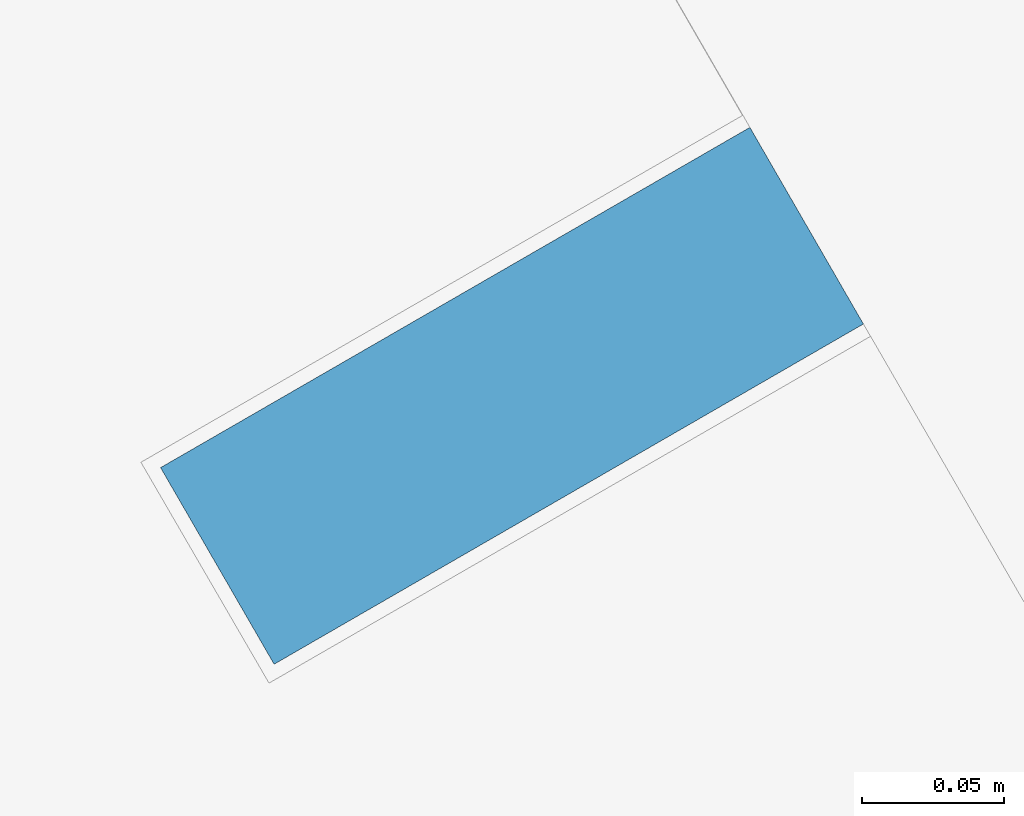
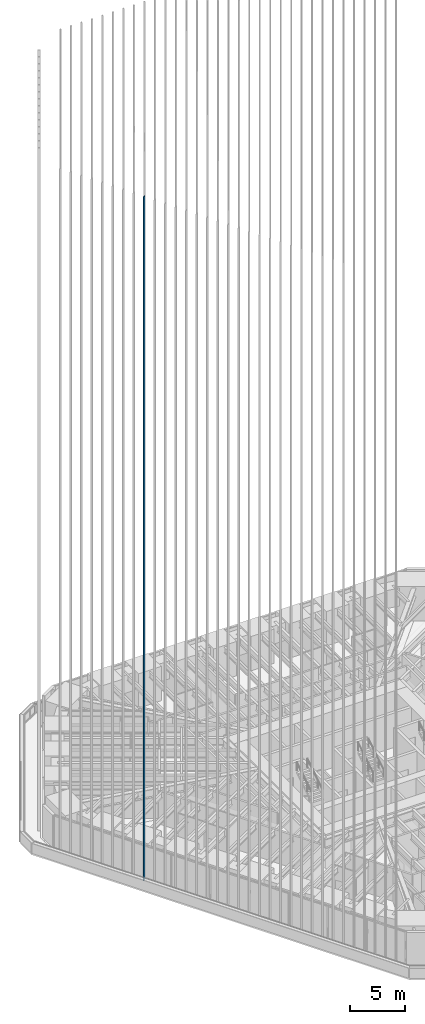
# One storey, part 48 of 238: 1 member, 1 element without a shape of its own.
"""IFC4 building model written with IfcOpenShell, lengths in metres."""

from ifc_helpers import new_model, si_unit, direction, frame, origin, origin_2d, place, context, subcontext, project, spatial, rectangle, extrude, material, material_profile, profile_set, type_object, element, aggregate, save


model = new_model("IFC4")

# Units and contexts
model_context = context("Model", 3, precision=1e-05, world=origin(), true_north=direction((0.0, 1.0)))
body_context = subcontext(model_context, "Body", "Model", "MODEL_VIEW")
ifc_project = project(units=[si_unit("LENGTHUNIT", "METRE"), si_unit("AREAUNIT", "SQUARE_METRE"), si_unit("VOLUMEUNIT", "CUBIC_METRE"), si_unit("PLANEANGLEUNIT", "RADIAN"), si_unit("MASSUNIT", "GRAM", prefix="KILO")], contexts=[model_context])

# Site, building, storey
site_placement = place(None, origin())
site = spatial("IfcSite", under=ifc_project, at=site_placement, CompositionType="ELEMENT")
building_placement = place(site_placement, origin())
building = spatial("IfcBuilding", under=site, at=building_placement, Name="Sandreach Pilgrim Tower", CompositionType="ELEMENT")
storey_placement = place(building_placement, frame((0.0, 0.0, 96.800048828125)))
storey = spatial("IfcBuildingStorey", under=building, at=storey_placement, Name="L23", CompositionType="ELEMENT", Elevation=96.800048828125)

# Curtain wall, member
ifc_material_1 = material(Name="Aluminium framed curtain wall", Category="aluminium")
curtain_wall_type = type_object("IfcCurtainWallType", Name="Hotel tower curtain wall", PredefinedType="NOTDEFINED", material=ifc_material_1)
curtain_wall_placement = place(storey_placement, origin())
curtain_wall = element("IfcCurtainWall", 1, at=curtain_wall_placement, inside=storey, type_object=curtain_wall_type, Name="CW-2 L23 SW", PredefinedType="NOTDEFINED")
ifc_material_2 = material(Name="Extruded terracotta on aluminium core", Category="masonry")
ifc_material_profile = material_profile(ifc_material_2, rectangle(XDim=0.080078125, YDim=0.239990234375, at=origin_2d()), Name="TBW 80X240")
ifc_profile_set = profile_set([ifc_material_profile], Name="Extruded terracotta on aluminium core")
member_type = type_object("IfcMemberType", Name="Terracotta baguette west", PredefinedType="USERDEFINED", material=ifc_profile_set)
member_placement = place(storey_placement, frame((-24.24951171875, -3.826171875, 0.0), z_axis=(0.0, 0.0, 1.0), x_axis=(-0.5, 0.866025403784, 0.0)))
member = element("IfcMember", 2, at=member_placement, type_object=member_type, Name="Baguette Z2 SW25", ObjectType="BAGUETTE", PredefinedType="USERDEFINED", context=body_context, shape_type="SweptSolid", body=[
    extrude(rectangle(XDim=0.080078125, YDim=0.239990234375, at=origin_2d()), origin(), (0.0, 0.0, 1.0), 75.83984375),
])
aggregate(curtain_wall, [member])

save(model, "model.ifc")
